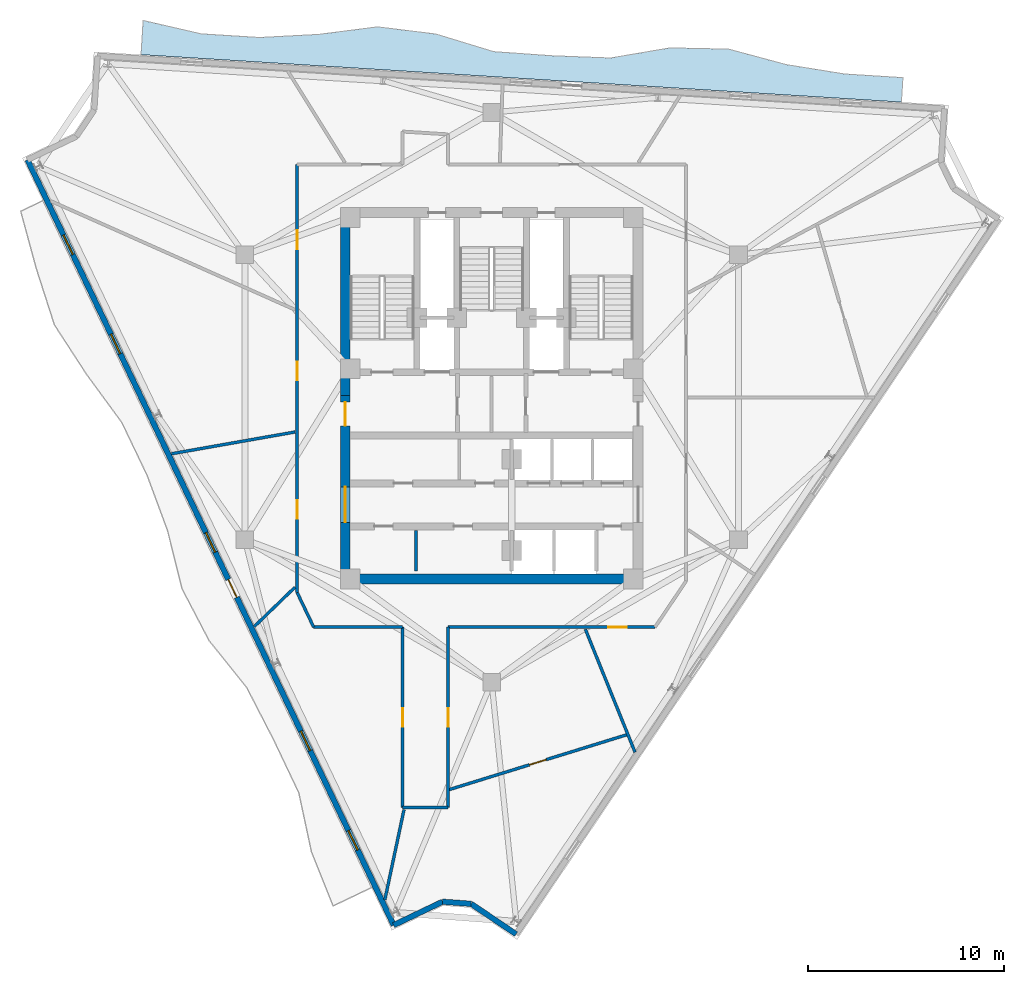
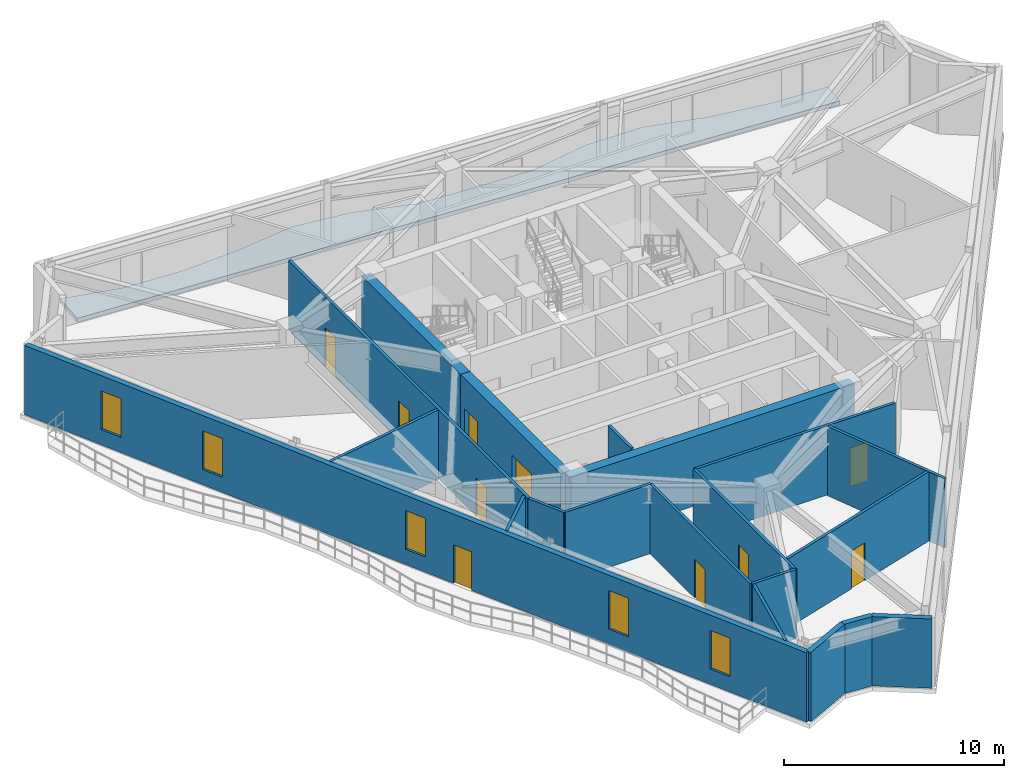
# One storey, part 5 of 10: 20 walls, 10 doors, 5 windows, 1 slab, 15 openings.
"""IFC4 building model written with IfcOpenShell, lengths in metres."""

from ifc_helpers import new_model, si_unit, direction, frame, frame_2d, origin, place, context, subcontext, project, spatial, polyline, rectangle, outline, extrude, material, layer, layer_set, type_object, element, fill, save


model = new_model("IFC4")

# Units and contexts
model_context = context("Model", 3, precision=1e-05, world=origin(), true_north=direction((0.0, 1.0)))
body_context = subcontext(model_context, "Body", "Model", "MODEL_VIEW")
ifc_project = project(units=[si_unit("LENGTHUNIT", "METRE"), si_unit("AREAUNIT", "SQUARE_METRE"), si_unit("VOLUMEUNIT", "CUBIC_METRE"), si_unit("PLANEANGLEUNIT", "RADIAN"), si_unit("MASSUNIT", "GRAM", prefix="KILO")], contexts=[model_context])

# Site, building, storey
site_placement = place(None, origin())
site = spatial("IfcSite", under=ifc_project, at=site_placement, CompositionType="ELEMENT")
building_placement = place(site_placement, origin())
building = spatial("IfcBuilding", under=site, at=building_placement, Name="Apsidion Concourse Tower", CompositionType="ELEMENT")
storey_placement = place(building_placement, frame((0.0, 0.0, 302.39990234375)))
storey = spatial("IfcBuildingStorey", under=building, at=storey_placement, Name="L71", CompositionType="ELEMENT", Elevation=302.39990234375)

# Slab
ifc_material_1 = material(Name="Concrete C50/60", Category="concrete")
ifc_layer_1 = layer(ifc_material_1, 0.219970703125)
ifc_layer_set_1 = layer_set([ifc_layer_1], Name="Concrete C50/60")
slab_type = type_object("IfcSlabType", Name="SL-BAL-220", PredefinedType="FLOOR", material=ifc_layer_set_1)
slab_placement = place(storey_placement, frame((0.0, 0.0, -0.219970703125)))
element("IfcSlab", 1, at=slab_placement, inside=storey, type_object=slab_type, Name="L71 Face 3 Rippling Balcony Slab", PredefinedType="FLOOR", context=body_context, shape_type="SweptSolid", body=[
    extrude(outline(polyline([(20.8564453125, 15.025146484375), (17.879150390625, 15.2109375), (14.90185546875, 15.396484375), (11.924560546875, 15.582275390625), (8.947265625, 15.767822265625), (5.969970703125, 15.95361328125), (2.99267578125, 16.139404296875), (0.015380859375, 16.324951171875), (-2.9619140625, 16.510498046875), (-5.939208984375, 16.6962890625), (-8.91650390625, 16.882080078125), (-11.893798828125, 17.067626953125), (-14.87109375, 17.25341796875), (-17.848388671875, 17.43896484375), (-17.73974609375, 19.181640625), (-14.793212890625, 18.5009765625), (-11.81591796875, 18.315185546875), (-8.8173828125, 18.47216796875), (-5.804443359375, 18.8564453125), (-2.83837890625, 18.4912109375), (0.0947265625, 17.59619140625), (3.070556640625, 17.38671875), (6.05224609375, 17.2724609375), (9.072998046875, 17.78564453125), (12.05810546875, 17.723388671875), (14.997802734375, 16.934814453125), (17.95703125, 16.45849609375), (20.934326171875, 16.272705078125), (20.8564453125, 15.025146484375)])), origin(), (0.0, 0.0, 1.0), 0.219970703125),
])

# Walls
ifc_material_2 = material(Name="Precast concrete C40/50", Category="concrete")
ifc_layer_2 = layer(ifc_material_2, 0.280029296875)
ifc_layer_set_2 = layer_set([ifc_layer_2], Name="Precast concrete C40/50")
wall_type_1 = type_object("IfcWallType", Name="WL-EXT-280", PredefinedType="STANDARD", material=ifc_layer_set_2)
wall_1_placement = place(storey_placement, frame((1.2431640625, -27.323974609375, 0.0), z_axis=(0.0, 0.0, 1.0), x_axis=(-0.829015842911, 0.559225117643, 0.0)))
element("IfcWall", 2, at=wall_1_placement, inside=storey, type_object=wall_type_1, Name="L71 Precast Stone Facade Wall 06", PredefinedType="STANDARD", context=body_context, shape_type="SweptSolid", body=[
    extrude(rectangle(XDim=2.759033203125, YDim=0.280029296875, at=frame_2d((1.37939453125, 0.0))), origin(), (0.0, 0.0, 1.0), 3.85009765625),
])
wall_2_placement = place(storey_placement, frame((-1.044189453125, -25.781005859375, 0.0), z_axis=(0.0, 0.0, 1.0), x_axis=(-0.997286893261, 0.073612855735, 0.0)))
element("IfcWall", 3, at=wall_2_placement, inside=storey, type_object=wall_type_1, Name="L71 Precast Stone Facade Wall 07", PredefinedType="STANDARD", context=body_context, shape_type="SweptSolid", body=[
    extrude(rectangle(XDim=1.459228515625, YDim=0.280029296875, at=frame_2d((0.7294921875, 0.0))), origin(), (0.0, 0.0, 1.0), 3.85009765625),
])
wall_3_placement = place(storey_placement, frame((-2.49951171875, -25.673583984375, 0.0), z_axis=(0.0, 0.0, 1.0), x_axis=(-0.902044352952, -0.431643354296, 0.0)))
element("IfcWall", 4, at=wall_3_placement, inside=storey, type_object=wall_type_1, Name="L71 Precast Stone Facade Wall 08", PredefinedType="STANDARD", context=body_context, shape_type="SweptSolid", body=[
    extrude(rectangle(XDim=2.759033203125, YDim=0.280029296875, at=frame_2d((1.37939453125, 0.0))), origin(), (0.0, 0.0, 1.0), 3.85009765625),
])

# Wall, openings, door, windows
wall_4_placement = place(storey_placement, frame((-4.98828125, -26.864501953125, 0.0), z_axis=(0.0, 0.0, 1.0), x_axis=(-0.431592936847, 0.902068476815, 0.0)))
wall_4 = element("IfcWall", 5, at=wall_4_placement, inside=storey, type_object=wall_type_1, Name="L71 Precast Stone Facade Wall 09", PredefinedType="STANDARD", context=body_context, shape_type="SweptSolid", body=[
    extrude(rectangle(XDim=43.18017578125, YDim=0.280029296875, at=frame_2d((21.590087890625, 0.0))), origin(), (0.0, 0.0, 1.0), 3.85009765625),
])
opening_1_placement = place(wall_4_placement, frame((18.499267578125, 0.0, 0.0)))
opening_1 = element("IfcOpeningElement", 6, at=opening_1_placement, cuts=wall_4, Name="Opening D-T1L", PredefinedType="OPENING", context=body_context, shape_type="SweptSolid", body=[
    extrude(rectangle(XDim=1.0, YDim=2.14990234375, at=frame_2d((0.5, 1.074951171875))), frame((0.0, 0.14990234375, 0.0), z_axis=(0.0, -1.0, 0.0), x_axis=(1.0, 0.0, 0.0)), (0.0, 0.0, 1.0), 0.300048828125),
])
opening_2_placement = place(wall_4_placement, frame((4.239990234375, 0.0, 0.85009765625)))
opening_2 = element("IfcOpeningElement", 7, at=opening_2_placement, cuts=wall_4, Name="Opening WN-07", PredefinedType="OPENING", context=body_context, shape_type="SweptSolid", body=[
    extrude(rectangle(XDim=1.10009765625, YDim=2.14990234375, at=frame_2d((0.550048828125, 1.074951171875))), frame((0.0, 0.14990234375, 0.0), z_axis=(0.0, -1.0, 0.0), x_axis=(1.0, 0.0, 0.0)), (0.0, 0.0, 1.0), 0.300048828125),
])
opening_3_placement = place(wall_4_placement, frame((9.840087890625, 0.0, 0.85009765625)))
opening_3 = element("IfcOpeningElement", 8, at=opening_3_placement, cuts=wall_4, Name="Opening WN-07", PredefinedType="OPENING", context=body_context, shape_type="SweptSolid", body=[
    extrude(rectangle(XDim=1.10009765625, YDim=2.14990234375, at=frame_2d((0.550048828125, 1.074951171875))), frame((0.0, 0.14990234375, 0.0), z_axis=(0.0, -1.0, 0.0), x_axis=(1.0, 0.0, 0.0)), (0.0, 0.0, 1.0), 0.300048828125),
])
opening_4_placement = place(wall_4_placement, frame((21.0400390625, 0.0, 0.85009765625)))
opening_4 = element("IfcOpeningElement", 9, at=opening_4_placement, cuts=wall_4, Name="Opening WN-07", PredefinedType="OPENING", context=body_context, shape_type="SweptSolid", body=[
    extrude(rectangle(XDim=1.10009765625, YDim=2.14990234375, at=frame_2d((0.550048828125, 1.074951171875))), frame((0.0, 0.14990234375, 0.0), z_axis=(0.0, -1.0, 0.0), x_axis=(1.0, 0.0, 0.0)), (0.0, 0.0, 1.0), 0.300048828125),
])
opening_5_placement = place(wall_4_placement, frame((32.239990234375, 0.0, 0.85009765625)))
opening_5 = element("IfcOpeningElement", 10, at=opening_5_placement, cuts=wall_4, Name="Opening WN-07", PredefinedType="OPENING", context=body_context, shape_type="SweptSolid", body=[
    extrude(rectangle(XDim=1.10009765625, YDim=2.14990234375, at=frame_2d((0.550048828125, 1.074951171875))), frame((0.0, 0.14990234375, 0.0), z_axis=(0.0, -1.0, 0.0), x_axis=(1.0, 0.0, 0.0)), (0.0, 0.0, 1.0), 0.300048828125),
])
opening_6_placement = place(wall_4_placement, frame((37.840087890625, 0.0, 0.85009765625)))
opening_6 = element("IfcOpeningElement", 11, at=opening_6_placement, cuts=wall_4, Name="Opening WN-07", PredefinedType="OPENING", context=body_context, shape_type="SweptSolid", body=[
    extrude(rectangle(XDim=1.10009765625, YDim=2.14990234375, at=frame_2d((0.550048828125, 1.074951171875))), frame((0.0, 0.14990234375, 0.0), z_axis=(0.0, -1.0, 0.0), x_axis=(1.0, 0.0, 0.0)), (0.0, 0.0, 1.0), 0.300048828125),
])
ifc_material_3 = material(Name="Anodised aluminium EN AW-6063 T6", Category="aluminium")
door_type_1 = type_object("IfcDoorType", Name="DR-TER-1022L", OperationType="SINGLE_SWING_LEFT", PredefinedType="DOOR", material=ifc_material_3)
door_1_placement = place(opening_1_placement, origin())
door_1 = element("IfcDoor", 12, at=door_1_placement, inside=storey, type_object=door_type_1, Name="L71 Balcony Access Door 2", OperationType="SINGLE_SWING_LEFT", OverallHeight=2.14990234375, OverallWidth=1.0, PredefinedType="DOOR", context=body_context, shape_type="SweptSolid", body=[
    extrude(rectangle(XDim=1.0, YDim=2.14990234375, at=frame_2d((0.5, 1.074951171875))), frame((0.0, 0.02490234375, 0.0), z_axis=(0.0, -1.0, 0.0), x_axis=(1.0, 0.0, 0.0)), (0.0, 0.0, 1.0), 0.050048828125),
])
fill(opening_1, door_1)
ifc_material_4 = material(Name="Insulated laminated low-E glass", Category="glass")
window_type = type_object("IfcWindowType", Name="WN-OFF-1123", PartitioningType="SINGLE_PANEL", PredefinedType="WINDOW", material=ifc_material_4)
window_1_placement = place(opening_2_placement, origin())
window_1 = element("IfcWindow", 13, at=window_1_placement, inside=storey, type_object=window_type, Name="L71 Punched Facade Window 9-01", OverallHeight=2.14990234375, OverallWidth=1.10009765625, PartitioningType="SINGLE_PANEL", PredefinedType="WINDOW", context=body_context, shape_type="SweptSolid", body=[
    extrude(rectangle(XDim=1.10009765625, YDim=2.14990234375, at=frame_2d((0.550048828125, 1.074951171875))), frame((0.0, 0.030029296875, 0.0), z_axis=(0.0, -1.0, 0.0), x_axis=(1.0, 0.0, 0.0)), (0.0, 0.0, 1.0), 0.06005859375),
])
fill(opening_2, window_1)
window_2_placement = place(opening_3_placement, origin())
window_2 = element("IfcWindow", 14, at=window_2_placement, inside=storey, type_object=window_type, Name="L71 Punched Facade Window 9-02", OverallHeight=2.14990234375, OverallWidth=1.10009765625, PartitioningType="SINGLE_PANEL", PredefinedType="WINDOW", context=body_context, shape_type="SweptSolid", body=[
    extrude(rectangle(XDim=1.10009765625, YDim=2.14990234375, at=frame_2d((0.550048828125, 1.074951171875))), frame((0.0, 0.030029296875, 0.0), z_axis=(0.0, -1.0, 0.0), x_axis=(1.0, 0.0, 0.0)), (0.0, 0.0, 1.0), 0.06005859375),
])
fill(opening_3, window_2)
window_3_placement = place(opening_4_placement, origin())
window_3 = element("IfcWindow", 15, at=window_3_placement, inside=storey, type_object=window_type, Name="L71 Punched Facade Window 9-04", OverallHeight=2.14990234375, OverallWidth=1.10009765625, PartitioningType="SINGLE_PANEL", PredefinedType="WINDOW", context=body_context, shape_type="SweptSolid", body=[
    extrude(rectangle(XDim=1.10009765625, YDim=2.14990234375, at=frame_2d((0.550048828125, 1.074951171875))), frame((0.0, 0.030029296875, 0.0), z_axis=(0.0, -1.0, 0.0), x_axis=(1.0, 0.0, 0.0)), (0.0, 0.0, 1.0), 0.06005859375),
])
fill(opening_4, window_3)
window_4_placement = place(opening_5_placement, origin())
window_4 = element("IfcWindow", 16, at=window_4_placement, inside=storey, type_object=window_type, Name="L71 Punched Facade Window 9-06", OverallHeight=2.14990234375, OverallWidth=1.10009765625, PartitioningType="SINGLE_PANEL", PredefinedType="WINDOW", context=body_context, shape_type="SweptSolid", body=[
    extrude(rectangle(XDim=1.10009765625, YDim=2.14990234375, at=frame_2d((0.550048828125, 1.074951171875))), frame((0.0, 0.030029296875, 0.0), z_axis=(0.0, -1.0, 0.0), x_axis=(1.0, 0.0, 0.0)), (0.0, 0.0, 1.0), 0.06005859375),
])
fill(opening_5, window_4)
window_5_placement = place(opening_6_placement, origin())
window_5 = element("IfcWindow", 17, at=window_5_placement, inside=storey, type_object=window_type, Name="L71 Punched Facade Window 9-07", OverallHeight=2.14990234375, OverallWidth=1.10009765625, PartitioningType="SINGLE_PANEL", PredefinedType="WINDOW", context=body_context, shape_type="SweptSolid", body=[
    extrude(rectangle(XDim=1.10009765625, YDim=2.14990234375, at=frame_2d((0.550048828125, 1.074951171875))), frame((0.0, 0.030029296875, 0.0), z_axis=(0.0, -1.0, 0.0), x_axis=(1.0, 0.0, 0.0)), (0.0, 0.0, 1.0), 0.06005859375),
])
fill(opening_6, window_5)

# Walls
ifc_material_5 = material(Name="Gypsum plasterboard partition")
ifc_layer_3 = layer(ifc_material_5, 0.14990234375)
ifc_layer_set_3 = layer_set([ifc_layer_3], Name="Gypsum plasterboard partition")
wall_type_2 = type_object("IfcWallType", Name="WL-INT-PAR-150", PredefinedType="PARTITIONING", material=ifc_layer_set_3)
wall_5_placement = place(storey_placement, frame((-3.85009765625, -8.85009765625, 0.0), z_axis=(0.0, 0.0, 1.0), x_axis=(0.0, 1.0, 0.0)))
element("IfcWall", 18, at=wall_5_placement, inside=storey, type_object=wall_type_2, Name="L71 Interior Partition WL-L71-B2RV1", PredefinedType="PARTITIONING", context=body_context, shape_type="SweptSolid", body=[
    extrude(rectangle(XDim=2.080078125, YDim=0.14990234375, at=frame_2d((1.0400390625, 0.0))), origin(), (0.0, 0.0, 1.0), 3.85009765625),
])
wall_6_placement = place(storey_placement, frame((-4.530029296875, -11.699951171875, 0.0), z_axis=(0.0, 0.0, 1.0), x_axis=(-1.0, 0.0, 0.0)))
element("IfcWall", 19, at=wall_6_placement, inside=storey, type_object=wall_type_2, Name="L71 Interior Partition WL-L71-CORR-01", PredefinedType="PARTITIONING", context=body_context, shape_type="SweptSolid", body=[
    extrude(rectangle(XDim=4.5263671875, YDim=0.14990234375, at=frame_2d((2.26318359375, 0.0))), origin(), (0.0, 0.0, 1.0), 3.85009765625),
])
wall_7_placement = place(storey_placement, frame((-9.056396484375, -11.699951171875, 0.0), z_axis=(0.0, 0.0, 1.0), x_axis=(-0.431605782187, 0.902062330875, 0.0)))
element("IfcWall", 20, at=wall_7_placement, inside=storey, type_object=wall_type_2, Name="L71 Interior Partition WL-L71-CORR-02", PredefinedType="PARTITIONING", context=body_context, shape_type="SweptSolid", body=[
    extrude(rectangle(XDim=1.954345703125, YDim=0.14990234375, at=frame_2d((0.97705078125, 0.0))), origin(), (0.0, 0.0, 1.0), 3.85009765625),
])

# Wall, openings, doors
wall_8_placement = place(storey_placement, frame((-9.89990234375, -9.93701171875, 0.0), z_axis=(0.0, 0.0, 1.0), x_axis=(0.0, 1.0, 0.0)))
wall_8 = element("IfcWall", 21, at=wall_8_placement, inside=storey, type_object=wall_type_2, Name="L71 Interior Partition WL-L71-CORR-03", PredefinedType="PARTITIONING", context=body_context, shape_type="SweptSolid", body=[
    extrude(rectangle(XDim=21.787109375, YDim=0.14990234375, at=frame_2d((10.8935546875, 0.0))), origin(), (0.0, 0.0, 1.0), 3.85009765625),
])
opening_7_placement = place(wall_8_placement, frame((3.7451171875, 0.0, 0.0)))
opening_7 = element("IfcOpeningElement", 22, at=opening_7_placement, cuts=wall_8, Name="Opening D-01L", PredefinedType="OPENING", context=body_context, shape_type="SweptSolid", body=[
    extrude(rectangle(XDim=0.949951171875, YDim=2.14990234375, at=frame_2d((0.47509765625, 1.074951171875))), frame((0.0, 0.0849609375, 0.0), z_axis=(0.0, -1.0, 0.0), x_axis=(1.0, 0.0, 0.0)), (0.0, 0.0, 1.0), 0.169921875),
])
opening_8_placement = place(wall_8_placement, frame((17.484130859375, 0.0, 0.0)))
opening_8 = element("IfcOpeningElement", 23, at=opening_8_placement, cuts=wall_8, Name="Opening D-01R", PredefinedType="OPENING", context=body_context, shape_type="SweptSolid", body=[
    extrude(rectangle(XDim=0.949951171875, YDim=2.14990234375, at=frame_2d((0.47509765625, 1.074951171875))), frame((0.0, 0.0849609375, 0.0), z_axis=(0.0, -1.0, 0.0), x_axis=(1.0, 0.0, 0.0)), (0.0, 0.0, 1.0), 0.169921875),
])
opening_9_placement = place(wall_8_placement, frame((10.80419921875, 0.0, 0.0)))
opening_9 = element("IfcOpeningElement", 24, at=opening_9_placement, cuts=wall_8, Name="Opening D-01L", PredefinedType="OPENING", context=body_context, shape_type="SweptSolid", body=[
    extrude(rectangle(XDim=0.949951171875, YDim=2.14990234375, at=frame_2d((0.47509765625, 1.074951171875))), frame((0.0, 0.0849609375, 0.0), z_axis=(0.0, -1.0, 0.0), x_axis=(1.0, 0.0, 0.0)), (0.0, 0.0, 1.0), 0.169921875),
])
ifc_material_6 = material(Name="Brushed stainless steel 316", Category="steel")
door_type_2 = type_object("IfcDoorType", Name="DR-INT-D01L", OperationType="SINGLE_SWING_LEFT", PredefinedType="DOOR", material=ifc_material_6)
door_2_placement = place(opening_7_placement, origin())
door_2 = element("IfcDoor", 25, at=door_2_placement, inside=storey, type_object=door_type_2, Name="L71 Corridor Entry Door 01", OperationType="SINGLE_SWING_LEFT", OverallHeight=2.14990234375, OverallWidth=0.949951171875, PredefinedType="DOOR", context=body_context, shape_type="SweptSolid", body=[
    extrude(rectangle(XDim=0.949951171875, YDim=2.14990234375, at=frame_2d((0.47509765625, 1.074951171875))), frame((0.0, 0.02490234375, 0.0), z_axis=(0.0, -1.0, 0.0), x_axis=(1.0, 0.0, 0.0)), (0.0, 0.0, 1.0), 0.050048828125),
])
fill(opening_7, door_2)
door_3_placement = place(opening_9_placement, origin())
door_3 = element("IfcDoor", 26, at=door_3_placement, inside=storey, type_object=door_type_2, Name="L71 Corridor Entry Door 11", OperationType="SINGLE_SWING_LEFT", OverallHeight=2.14990234375, OverallWidth=0.949951171875, PredefinedType="DOOR", context=body_context, shape_type="SweptSolid", body=[
    extrude(rectangle(XDim=0.949951171875, YDim=2.14990234375, at=frame_2d((0.47509765625, 1.074951171875))), frame((0.0, 0.02490234375, 0.0), z_axis=(0.0, -1.0, 0.0), x_axis=(1.0, 0.0, 0.0)), (0.0, 0.0, 1.0), 0.050048828125),
])
fill(opening_9, door_3)
door_type_3 = type_object("IfcDoorType", Name="DR-INT-D01R", OperationType="SINGLE_SWING_RIGHT", PredefinedType="DOOR", material=ifc_material_6)
door_4_placement = place(opening_8_placement, origin())
door_4 = element("IfcDoor", 27, at=door_4_placement, inside=storey, type_object=door_type_3, Name="L71 Corridor Entry Door 10", OperationType="SINGLE_SWING_RIGHT", OverallHeight=2.14990234375, OverallWidth=0.949951171875, PredefinedType="DOOR", context=body_context, shape_type="SweptSolid", body=[
    extrude(rectangle(XDim=0.949951171875, YDim=2.14990234375, at=frame_2d((0.47509765625, 1.074951171875))), frame((0.0, 0.02490234375, 0.0), z_axis=(0.0, -1.0, 0.0), x_axis=(1.0, 0.0, 0.0)), (0.0, 0.0, 1.0), 0.050048828125),
])
fill(opening_8, door_4)

# Wall, opening, door
wall_9_placement = place(storey_placement, frame((8.313720703125, -11.699951171875, 0.0), z_axis=(0.0, 0.0, 1.0), x_axis=(-1.0, 0.0, 0.0)))
wall_9 = element("IfcWall", 28, at=wall_9_placement, inside=storey, type_object=wall_type_2, Name="L71 Interior Partition WL-L71-CORR-11", PredefinedType="PARTITIONING", context=body_context, shape_type="SweptSolid", body=[
    extrude(rectangle(XDim=10.53369140625, YDim=0.14990234375, at=frame_2d((5.266845703125, 0.0))), origin(), (0.0, 0.0, 1.0), 3.85009765625),
])
opening_10_placement = place(wall_9_placement, frame((1.426513671875, 0.0, 0.0)))
opening_10 = element("IfcOpeningElement", 29, at=opening_10_placement, cuts=wall_9, Name="Opening D-01R", PredefinedType="OPENING", context=body_context, shape_type="SweptSolid", body=[
    extrude(rectangle(XDim=0.949951171875, YDim=2.14990234375, at=frame_2d((0.47509765625, 1.074951171875))), frame((0.0, 0.0849609375, 0.0), z_axis=(0.0, -1.0, 0.0), x_axis=(1.0, 0.0, 0.0)), (0.0, 0.0, 1.0), 0.169921875),
])
door_5_placement = place(opening_10_placement, origin())
door_5 = element("IfcDoor", 30, at=door_5_placement, inside=storey, type_object=door_type_3, Name="L71 Corridor Entry Door 04", OperationType="SINGLE_SWING_RIGHT", OverallHeight=2.14990234375, OverallWidth=0.949951171875, PredefinedType="DOOR", context=body_context, shape_type="SweptSolid", body=[
    extrude(rectangle(XDim=0.949951171875, YDim=2.14990234375, at=frame_2d((0.47509765625, 1.074951171875))), frame((0.0, 0.02490234375, 0.0), z_axis=(0.0, -1.0, 0.0), x_axis=(1.0, 0.0, 0.0)), (0.0, 0.0, 1.0), 0.050048828125),
])
fill(opening_10, door_5)

wall_10_placement = place(storey_placement, frame((-2.219970703125, -11.699951171875, 0.0), z_axis=(0.0, 0.0, 1.0), x_axis=(0.0, -1.0, 0.0)))
wall_10 = element("IfcWall", 31, at=wall_10_placement, inside=storey, type_object=wall_type_2, Name="L71 Interior Partition WL-L71-CORR-12", PredefinedType="PARTITIONING", context=body_context, shape_type="SweptSolid", body=[
    extrude(rectangle(XDim=9.179931640625, YDim=0.14990234375, at=frame_2d((4.58984375, 0.0))), origin(), (0.0, 0.0, 1.0), 3.85009765625),
])
opening_11_placement = place(wall_10_placement, frame((4.114990234375, 0.0, 0.0)))
opening_11 = element("IfcOpeningElement", 32, at=opening_11_placement, cuts=wall_10, Name="Opening D-01L", PredefinedType="OPENING", context=body_context, shape_type="SweptSolid", body=[
    extrude(rectangle(XDim=0.949951171875, YDim=2.14990234375, at=frame_2d((0.47509765625, 1.074951171875))), frame((0.0, 0.0849609375, 0.0), z_axis=(0.0, -1.0, 0.0), x_axis=(1.0, 0.0, 0.0)), (0.0, 0.0, 1.0), 0.169921875),
])
door_6_placement = place(opening_11_placement, origin())
door_6 = element("IfcDoor", 33, at=door_6_placement, inside=storey, type_object=door_type_2, Name="L71 Corridor Entry Door 03", OperationType="SINGLE_SWING_LEFT", OverallHeight=2.14990234375, OverallWidth=0.949951171875, PredefinedType="DOOR", context=body_context, shape_type="SweptSolid", body=[
    extrude(rectangle(XDim=0.949951171875, YDim=2.14990234375, at=frame_2d((0.47509765625, 1.074951171875))), frame((0.0, 0.02490234375, 0.0), z_axis=(0.0, -1.0, 0.0), x_axis=(1.0, 0.0, 0.0)), (0.0, 0.0, 1.0), 0.050048828125),
])
fill(opening_11, door_6)

# Wall
wall_11_placement = place(storey_placement, frame((-2.219970703125, -20.8798828125, 0.0), z_axis=(0.0, 0.0, 1.0), x_axis=(-1.0, 0.0, 0.0)))
element("IfcWall", 34, at=wall_11_placement, inside=storey, type_object=wall_type_2, Name="L71 Interior Partition WL-L71-CORR-13", PredefinedType="PARTITIONING", context=body_context, shape_type="SweptSolid", body=[
    extrude(rectangle(XDim=2.31005859375, YDim=0.14990234375, at=frame_2d((1.155029296875, 0.0))), origin(), (0.0, 0.0, 1.0), 3.85009765625),
])

# Wall, opening, door
wall_12_placement = place(storey_placement, frame((-4.530029296875, -20.8798828125, 0.0), z_axis=(0.0, 0.0, 1.0), x_axis=(0.0, 1.0, 0.0)))
wall_12 = element("IfcWall", 35, at=wall_12_placement, inside=storey, type_object=wall_type_2, Name="L71 Interior Partition WL-L71-CORR-14", PredefinedType="PARTITIONING", context=body_context, shape_type="SweptSolid", body=[
    extrude(rectangle(XDim=9.179931640625, YDim=0.14990234375, at=frame_2d((4.58984375, 0.0))), origin(), (0.0, 0.0, 1.0), 3.85009765625),
])
opening_12_placement = place(wall_12_placement, frame((4.114990234375, 0.0, 0.0)))
opening_12 = element("IfcOpeningElement", 36, at=opening_12_placement, cuts=wall_12, Name="Opening D-01R", PredefinedType="OPENING", context=body_context, shape_type="SweptSolid", body=[
    extrude(rectangle(XDim=0.949951171875, YDim=2.14990234375, at=frame_2d((0.47509765625, 1.074951171875))), frame((0.0, 0.0849609375, 0.0), z_axis=(0.0, -1.0, 0.0), x_axis=(1.0, 0.0, 0.0)), (0.0, 0.0, 1.0), 0.169921875),
])
door_7_placement = place(opening_12_placement, origin())
door_7 = element("IfcDoor", 37, at=door_7_placement, inside=storey, type_object=door_type_3, Name="L71 Corridor Entry Door 02", OperationType="SINGLE_SWING_RIGHT", OverallHeight=2.14990234375, OverallWidth=0.949951171875, PredefinedType="DOOR", context=body_context, shape_type="SweptSolid", body=[
    extrude(rectangle(XDim=0.949951171875, YDim=2.14990234375, at=frame_2d((0.47509765625, 1.074951171875))), frame((0.0, 0.02490234375, 0.0), z_axis=(0.0, -1.0, 0.0), x_axis=(1.0, 0.0, 0.0)), (0.0, 0.0, 1.0), 0.050048828125),
])
fill(opening_12, door_7)

# Walls
wall_13_placement = place(storey_placement, frame((-10.0048828125, -1.76416015625, 0.0), z_axis=(0.0, 0.0, 1.0), x_axis=(-0.984807023055, -0.17365231741, 0.0)))
element("IfcWall", 38, at=wall_13_placement, inside=storey, type_object=wall_type_2, Name="L71 Interior Partition WL-L71-RAD-07-1", PredefinedType="PARTITIONING", context=body_context, shape_type="SweptSolid", body=[
    extrude(rectangle(XDim=6.386962890625, YDim=0.14990234375, at=frame_2d((3.193359375, 0.0))), origin(), (0.0, 0.0, 1.0), 3.85009765625),
])
wall_14_placement = place(storey_placement, frame((-10.0048828125, -9.66162109375, 0.0), z_axis=(0.0, 0.0, 1.0), x_axis=(-0.719363647172, -0.694633675492, 0.0)))
element("IfcWall", 39, at=wall_14_placement, inside=storey, type_object=wall_type_2, Name="L71 Interior Partition WL-L71-RAD-08-1", PredefinedType="PARTITIONING", context=body_context, shape_type="SweptSolid", body=[
    extrude(rectangle(XDim=2.892578125, YDim=0.14990234375, at=frame_2d((1.4462890625, 0.0))), origin(), (0.0, 0.0, 1.0), 3.85009765625),
])
wall_15_placement = place(storey_placement, frame((-4.46044921875, -20.985107421875, 0.0), z_axis=(0.0, 0.0, 1.0), x_axis=(-0.20793909947, -0.978141774443, 0.0)))
element("IfcWall", 40, at=wall_15_placement, inside=storey, type_object=wall_type_2, Name="L71 Interior Partition WL-L71-RAD-09-1", PredefinedType="PARTITIONING", context=body_context, shape_type="SweptSolid", body=[
    extrude(rectangle(XDim=4.688232421875, YDim=0.14990234375, at=frame_2d((2.34423828125, 0.0))), origin(), (0.0, 0.0, 1.0), 3.85009765625),
])
wall_16_placement = place(storey_placement, frame((4.76953125, -11.804931640625, 0.0), z_axis=(0.0, 0.0, 1.0), x_axis=(0.374616638897, -0.927179795866, 0.0)))
element("IfcWall", 41, at=wall_16_placement, inside=storey, type_object=wall_type_2, Name="L71 Interior Partition WL-L71-RAD-10-1", PredefinedType="PARTITIONING", context=body_context, shape_type="SweptSolid", body=[
    extrude(rectangle(XDim=6.75439453125, YDim=0.14990234375, at=frame_2d((3.377197265625, 0.0))), origin(), (0.0, 0.0, 1.0), 3.85009765625),
])

# Wall, opening, door
wall_17_placement = place(storey_placement, frame((-2.199951171875, -19.97900390625, 0.0), z_axis=(0.0, 0.0, 1.0), x_axis=(0.95544782283, 0.295160054631, 0.0)))
wall_17 = element("IfcWall", 42, at=wall_17_placement, inside=storey, type_object=wall_type_2, Name="L71 Interior Partition WL-L71-CHD-OFS02", PredefinedType="PARTITIONING", context=body_context, shape_type="SweptSolid", body=[
    extrude(rectangle(XDim=9.532958984375, YDim=0.14990234375, at=frame_2d((4.7666015625, 0.0))), origin(), (0.0, 0.0, 1.0), 3.85009765625),
])
opening_13_placement = place(wall_17_placement, frame((4.31640625, 0.0, 0.0)))
opening_13 = element("IfcOpeningElement", 43, at=opening_13_placement, cuts=wall_17, Name="Opening D-02L", PredefinedType="OPENING", context=body_context, shape_type="SweptSolid", body=[
    extrude(rectangle(XDim=0.89990234375, YDim=2.10009765625, at=frame_2d((0.449951171875, 1.050048828125))), frame((0.0, 0.0849609375, 0.0), z_axis=(0.0, -1.0, 0.0), x_axis=(1.0, 0.0, 0.0)), (0.0, 0.0, 1.0), 0.169921875),
])
door_type_4 = type_object("IfcDoorType", Name="DR-INT-D02L", OperationType="SINGLE_SWING_LEFT", PredefinedType="DOOR", material=ifc_material_3)
door_8_placement = place(opening_13_placement, origin())
door_8 = element("IfcDoor", 44, at=door_8_placement, inside=storey, type_object=door_type_4, Name="L71 Suite Connecting Door OFS02", OperationType="SINGLE_SWING_LEFT", OverallHeight=2.10009765625, OverallWidth=0.89990234375, PredefinedType="DOOR", context=body_context, shape_type="SweptSolid", body=[
    extrude(rectangle(XDim=0.89990234375, YDim=2.10009765625, at=frame_2d((0.449951171875, 1.050048828125))), frame((0.0, 0.02490234375, 0.0), z_axis=(0.0, -1.0, 0.0), x_axis=(1.0, 0.0, 0.0)), (0.0, 0.0, 1.0), 0.050048828125),
])
fill(opening_13, door_8)

# Wall
ifc_layer_4 = layer(ifc_material_1, 0.5)
ifc_layer_set_4 = layer_set([ifc_layer_4], Name="Concrete C50/60")
wall_type_3 = type_object("IfcWallType", Name="WL-SH-500", PredefinedType="SHEAR", material=ifc_layer_set_4)
wall_18_placement = place(storey_placement, frame((-7.449951171875, 0.10009765625, 0.0), z_axis=(0.0, 0.0, 1.0), x_axis=(0.0, 1.0, 0.0)))
element("IfcWall", 45, at=wall_18_placement, inside=storey, type_object=wall_type_3, Name="L71 Central Core Shear Wall WN", PredefinedType="SHEAR", context=body_context, shape_type="SweptSolid", body=[
    extrude(rectangle(XDim=9.0498046875, YDim=0.5, at=frame_2d((4.52490234375, 0.0))), origin(), (0.0, 0.0, 1.0), 3.85009765625),
])

# Wall, openings, doors
wall_19_placement = place(storey_placement, frame((-7.449951171875, -9.0, 0.0), z_axis=(0.0, 0.0, 1.0), x_axis=(0.0, 1.0, 0.0)))
wall_19 = element("IfcWall", 46, at=wall_19_placement, inside=storey, type_object=wall_type_3, Name="L71 Central Core Shear Wall WS", PredefinedType="SHEAR", context=body_context, shape_type="SweptSolid", body=[
    extrude(rectangle(XDim=9.10009765625, YDim=0.5, at=frame_2d((4.550048828125, 0.0))), origin(), (0.0, 0.0, 1.0), 3.85009765625),
])
opening_14_placement = place(wall_19_placement, frame((2.639892578125, 0.0, 0.0)))
opening_14 = element("IfcOpeningElement", 47, at=opening_14_placement, cuts=wall_19, Name="Opening D-06D", PredefinedType="OPENING", context=body_context, shape_type="SweptSolid", body=[
    extrude(rectangle(XDim=1.800048828125, YDim=2.199951171875, at=frame_2d((0.89990234375, 1.10009765625))), frame((0.0, 0.260009765625, 0.0), z_axis=(0.0, -1.0, 0.0), x_axis=(1.0, 0.0, 0.0)), (0.0, 0.0, 1.0), 0.52001953125),
])
opening_15_placement = place(wall_19_placement, frame((7.550048828125, 0.0, 0.0)))
opening_15 = element("IfcOpeningElement", 48, at=opening_15_placement, cuts=wall_19, Name="Opening D-FFL", PredefinedType="OPENING", context=body_context, shape_type="SweptSolid", body=[
    extrude(rectangle(XDim=1.199951171875, YDim=2.14990234375, at=frame_2d((0.60009765625, 1.074951171875))), frame((0.0, 0.260009765625, 0.0), z_axis=(0.0, -1.0, 0.0), x_axis=(1.0, 0.0, 0.0)), (0.0, 0.0, 1.0), 0.52001953125),
])
door_type_5 = type_object("IfcDoorType", Name="DR-INT-D06D", OperationType="DOUBLE_DOOR_SINGLE_SWING", PredefinedType="DOOR", material=ifc_material_6)
door_9_placement = place(opening_14_placement, origin())
door_9 = element("IfcDoor", 49, at=door_9_placement, inside=storey, type_object=door_type_5, Name="L71 Passenger Lift Lobby WS Portal Door", OperationType="DOUBLE_DOOR_SINGLE_SWING", OverallHeight=2.199951171875, OverallWidth=1.800048828125, PredefinedType="DOOR", context=body_context, shape_type="SweptSolid", body=[
    extrude(rectangle(XDim=1.800048828125, YDim=2.199951171875, at=frame_2d((0.89990234375, 1.10009765625))), frame((0.0, 0.02490234375, 0.0), z_axis=(0.0, -1.0, 0.0), x_axis=(1.0, 0.0, 0.0)), (0.0, 0.0, 1.0), 0.050048828125),
])
fill(opening_14, door_9)
door_type_6 = type_object("IfcDoorType", Name="DR-INT-FFL", OperationType="SINGLE_SWING_LEFT", PredefinedType="DOOR", material=ifc_material_6)
door_10_placement = place(opening_15_placement, origin())
door_10 = element("IfcDoor", 50, at=door_10_placement, inside=storey, type_object=door_type_6, Name="L71 Firefighting Lift Lobby FF1 Door", OperationType="SINGLE_SWING_LEFT", OverallHeight=2.14990234375, OverallWidth=1.199951171875, PredefinedType="DOOR", context=body_context, shape_type="SweptSolid", body=[
    extrude(rectangle(XDim=1.199951171875, YDim=2.14990234375, at=frame_2d((0.60009765625, 1.074951171875))), frame((0.0, 0.02490234375, 0.0), z_axis=(0.0, -1.0, 0.0), x_axis=(1.0, 0.0, 0.0)), (0.0, 0.0, 1.0), 0.050048828125),
])
fill(opening_15, door_10)

# Wall
wall_20_placement = place(storey_placement, frame((-7.449951171875, -9.25, 0.0), z_axis=(0.0, 0.0, 1.0), x_axis=(1.0, 0.0, 0.0)))
element("IfcWall", 51, at=wall_20_placement, inside=storey, type_object=wall_type_3, Name="L71 Central Core Shear Wall S", PredefinedType="SHEAR", context=body_context, shape_type="SweptSolid", body=[
    extrude(rectangle(XDim=14.89990234375, YDim=0.5, at=frame_2d((7.449951171875, 0.0))), origin(), (0.0, 0.0, 1.0), 3.85009765625),
])

save(model, "model.ifc")
